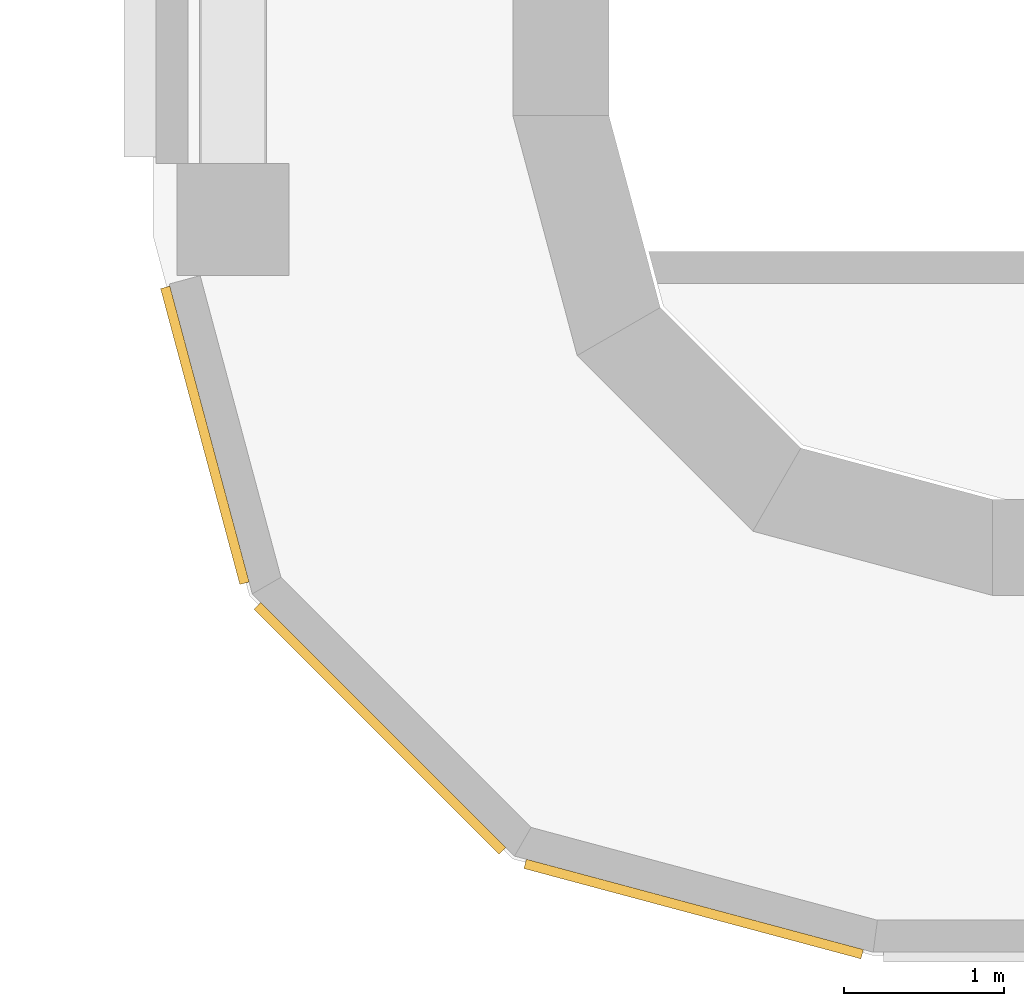
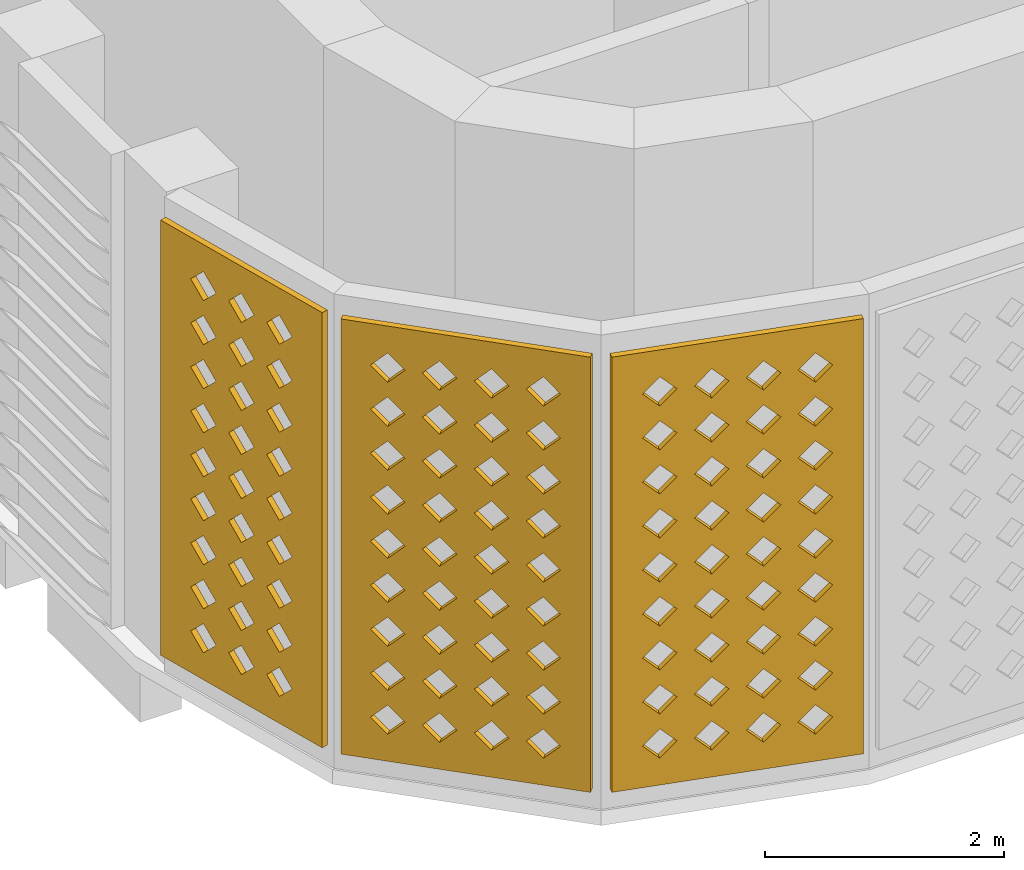
# One storey, part 9 of 20: 3 coverings.
"""IFC4 building model written with IfcOpenShell, lengths in metres."""

from ifc_helpers import new_model, si_unit, direction, frame, origin, place, context, subcontext, project, spatial, polyline, outline, extrude, source, transform, mapped, material, layer, layer_set, type_object, element, save


model = new_model("IFC4")

# Units and contexts
model_context = context("Model", 3, precision=1e-05, world=origin(), true_north=direction((0.0, 1.0)))
body_context = subcontext(model_context, "Body", "Model", "MODEL_VIEW")
ifc_project = project(units=[si_unit("LENGTHUNIT", "METRE"), si_unit("AREAUNIT", "SQUARE_METRE"), si_unit("VOLUMEUNIT", "CUBIC_METRE"), si_unit("PLANEANGLEUNIT", "RADIAN"), si_unit("MASSUNIT", "GRAM", prefix="KILO")], contexts=[model_context])

# Site, building, storey
site_placement = place(None, origin())
site = spatial("IfcSite", under=ifc_project, at=site_placement, CompositionType="ELEMENT")
building_placement = place(site_placement, origin())
building = spatial("IfcBuilding", under=site, at=building_placement, Name="Zarbagh Exchange Tower", CompositionType="ELEMENT")
storey_placement = place(building_placement, frame((0.0, 0.0, 244.800048828125)))
storey = spatial("IfcBuildingStorey", under=building, at=storey_placement, Name="L60", CompositionType="ELEMENT", Elevation=244.800048828125)

# Coverings
ifc_material = material(Name="Glass-fibre reinforced concrete GFRC C50/60", Category="concrete")
ifc_layer = layer(ifc_material, 0.06005859375)
ifc_layer_set = layer_set([ifc_layer], Name="SCREEN jali panel, GFRC")
covering_type = type_object("IfcCoveringType", Name="SCREEN jali panel, GFRC", PredefinedType="CLADDING", material=ifc_layer_set)
shared_shape_1 = source(origin(), body_context, "Body", "SweptSolid", [
    extrude(outline(polyline([(0.0, 0.0), (2.1650390625, 0.0), (2.1650390625, 4.449951171875), (0.0, 4.449951171875), (0.0, 0.0)]), holes=[polyline([(0.257568359375, 0.425048828125), (0.407470703125, 0.27490234375), (0.5576171875, 0.425048828125), (0.407470703125, 0.574951171875), (0.257568359375, 0.425048828125)]), polyline([(0.257568359375, 0.875), (0.407470703125, 0.72509765625), (0.5576171875, 0.875), (0.407470703125, 1.02490234375), (0.257568359375, 0.875)]), polyline([(0.257568359375, 1.324951171875), (0.407470703125, 1.175048828125), (0.5576171875, 1.324951171875), (0.407470703125, 1.47509765625), (0.257568359375, 1.324951171875)]), polyline([(0.257568359375, 1.77490234375), (0.407470703125, 1.625), (0.5576171875, 1.77490234375), (0.407470703125, 1.925048828125), (0.257568359375, 1.77490234375)]), polyline([(0.257568359375, 2.22509765625), (0.407470703125, 2.074951171875), (0.5576171875, 2.22509765625), (0.407470703125, 2.375), (0.257568359375, 2.22509765625)]), polyline([(0.257568359375, 2.675048828125), (0.407470703125, 2.52490234375), (0.5576171875, 2.675048828125), (0.407470703125, 2.824951171875), (0.257568359375, 2.675048828125)]), polyline([(0.257568359375, 3.125), (0.407470703125, 2.97509765625), (0.5576171875, 3.125), (0.407470703125, 3.27490234375), (0.257568359375, 3.125)]), polyline([(0.257568359375, 3.574951171875), (0.407470703125, 3.425048828125), (0.5576171875, 3.574951171875), (0.407470703125, 3.72509765625), (0.257568359375, 3.574951171875)]), polyline([(0.257568359375, 4.02490234375), (0.407470703125, 3.875), (0.5576171875, 4.02490234375), (0.407470703125, 4.175048828125), (0.257568359375, 4.02490234375)]), polyline([(0.70751953125, 0.425048828125), (0.857421875, 0.27490234375), (1.007568359375, 0.425048828125), (0.857421875, 0.574951171875), (0.70751953125, 0.425048828125)]), polyline([(0.70751953125, 0.875), (0.857421875, 0.72509765625), (1.007568359375, 0.875), (0.857421875, 1.02490234375), (0.70751953125, 0.875)]), polyline([(0.70751953125, 1.324951171875), (0.857421875, 1.175048828125), (1.007568359375, 1.324951171875), (0.857421875, 1.47509765625), (0.70751953125, 1.324951171875)]), polyline([(0.70751953125, 1.77490234375), (0.857421875, 1.625), (1.007568359375, 1.77490234375), (0.857421875, 1.925048828125), (0.70751953125, 1.77490234375)]), polyline([(0.70751953125, 2.22509765625), (0.857421875, 2.074951171875), (1.007568359375, 2.22509765625), (0.857421875, 2.375), (0.70751953125, 2.22509765625)]), polyline([(0.70751953125, 2.675048828125), (0.857421875, 2.52490234375), (1.007568359375, 2.675048828125), (0.857421875, 2.824951171875), (0.70751953125, 2.675048828125)]), polyline([(0.70751953125, 3.125), (0.857421875, 2.97509765625), (1.007568359375, 3.125), (0.857421875, 3.27490234375), (0.70751953125, 3.125)]), polyline([(0.70751953125, 3.574951171875), (0.857421875, 3.425048828125), (1.007568359375, 3.574951171875), (0.857421875, 3.72509765625), (0.70751953125, 3.574951171875)]), polyline([(0.70751953125, 4.02490234375), (0.857421875, 3.875), (1.007568359375, 4.02490234375), (0.857421875, 4.175048828125), (0.70751953125, 4.02490234375)]), polyline([(1.157470703125, 0.425048828125), (1.3076171875, 0.27490234375), (1.45751953125, 0.425048828125), (1.3076171875, 0.574951171875), (1.157470703125, 0.425048828125)]), polyline([(1.157470703125, 0.875), (1.3076171875, 0.72509765625), (1.45751953125, 0.875), (1.3076171875, 1.02490234375), (1.157470703125, 0.875)]), polyline([(1.157470703125, 1.324951171875), (1.3076171875, 1.175048828125), (1.45751953125, 1.324951171875), (1.3076171875, 1.47509765625), (1.157470703125, 1.324951171875)]), polyline([(1.157470703125, 1.77490234375), (1.3076171875, 1.625), (1.45751953125, 1.77490234375), (1.3076171875, 1.925048828125), (1.157470703125, 1.77490234375)]), polyline([(1.157470703125, 2.22509765625), (1.3076171875, 2.074951171875), (1.45751953125, 2.22509765625), (1.3076171875, 2.375), (1.157470703125, 2.22509765625)]), polyline([(1.157470703125, 2.675048828125), (1.3076171875, 2.52490234375), (1.45751953125, 2.675048828125), (1.3076171875, 2.824951171875), (1.157470703125, 2.675048828125)]), polyline([(1.157470703125, 3.125), (1.3076171875, 2.97509765625), (1.45751953125, 3.125), (1.3076171875, 3.27490234375), (1.157470703125, 3.125)]), polyline([(1.157470703125, 3.574951171875), (1.3076171875, 3.425048828125), (1.45751953125, 3.574951171875), (1.3076171875, 3.72509765625), (1.157470703125, 3.574951171875)]), polyline([(1.157470703125, 4.02490234375), (1.3076171875, 3.875), (1.45751953125, 4.02490234375), (1.3076171875, 4.175048828125), (1.157470703125, 4.02490234375)]), polyline([(1.607421875, 0.425048828125), (1.757568359375, 0.27490234375), (1.907470703125, 0.425048828125), (1.757568359375, 0.574951171875), (1.607421875, 0.425048828125)]), polyline([(1.607421875, 0.875), (1.757568359375, 0.72509765625), (1.907470703125, 0.875), (1.757568359375, 1.02490234375), (1.607421875, 0.875)]), polyline([(1.607421875, 1.324951171875), (1.757568359375, 1.175048828125), (1.907470703125, 1.324951171875), (1.757568359375, 1.47509765625), (1.607421875, 1.324951171875)]), polyline([(1.607421875, 1.77490234375), (1.757568359375, 1.625), (1.907470703125, 1.77490234375), (1.757568359375, 1.925048828125), (1.607421875, 1.77490234375)]), polyline([(1.607421875, 2.22509765625), (1.757568359375, 2.074951171875), (1.907470703125, 2.22509765625), (1.757568359375, 2.375), (1.607421875, 2.22509765625)]), polyline([(1.607421875, 2.675048828125), (1.757568359375, 2.52490234375), (1.907470703125, 2.675048828125), (1.757568359375, 2.824951171875), (1.607421875, 2.675048828125)]), polyline([(1.607421875, 3.125), (1.757568359375, 2.97509765625), (1.907470703125, 3.125), (1.757568359375, 3.27490234375), (1.607421875, 3.125)]), polyline([(1.607421875, 3.574951171875), (1.757568359375, 3.425048828125), (1.907470703125, 3.574951171875), (1.757568359375, 3.72509765625), (1.607421875, 3.574951171875)]), polyline([(1.607421875, 4.02490234375), (1.757568359375, 3.875), (1.907470703125, 4.02490234375), (1.757568359375, 4.175048828125), (1.607421875, 4.02490234375)])]), origin(), (0.0, 0.0, 1.0), 0.06005859375),
])
placement = place(storey_placement, origin())
element("IfcCovering", 1, at=placement, inside=storey, type_object=covering_type, Name="JS66 jali screen", PredefinedType="CLADDING", context=body_context, shape_type="MappedRepresentation", body=[
    mapped(shared_shape_1, transform((-6.074951171875, -29.2939453125, 0.199951171875), x_axis=(0.707106781187, -0.707106781187, 0.0), y_axis=(0.0, 0.0, 1.0), z_axis=(-0.707106781187, -0.707106781187, 0.0))),
])
shared_shape_2 = source(origin(), body_context, "Body", "SweptSolid", [
    extrude(outline(polyline([(0.0, 0.0), (2.181396484375, 0.0), (2.181396484375, 4.449951171875), (0.0, 4.449951171875), (0.0, 0.0)]), holes=[polyline([(0.265625, 0.425048828125), (0.415771484375, 0.27490234375), (0.565673828125, 0.425048828125), (0.415771484375, 0.574951171875), (0.265625, 0.425048828125)]), polyline([(0.265625, 0.875), (0.415771484375, 0.72509765625), (0.565673828125, 0.875), (0.415771484375, 1.02490234375), (0.265625, 0.875)]), polyline([(0.265625, 1.324951171875), (0.415771484375, 1.175048828125), (0.565673828125, 1.324951171875), (0.415771484375, 1.47509765625), (0.265625, 1.324951171875)]), polyline([(0.265625, 1.77490234375), (0.415771484375, 1.625), (0.565673828125, 1.77490234375), (0.415771484375, 1.925048828125), (0.265625, 1.77490234375)]), polyline([(0.265625, 2.22509765625), (0.415771484375, 2.074951171875), (0.565673828125, 2.22509765625), (0.415771484375, 2.375), (0.265625, 2.22509765625)]), polyline([(0.265625, 2.675048828125), (0.415771484375, 2.52490234375), (0.565673828125, 2.675048828125), (0.415771484375, 2.824951171875), (0.265625, 2.675048828125)]), polyline([(0.265625, 3.125), (0.415771484375, 2.97509765625), (0.565673828125, 3.125), (0.415771484375, 3.27490234375), (0.265625, 3.125)]), polyline([(0.265625, 3.574951171875), (0.415771484375, 3.425048828125), (0.565673828125, 3.574951171875), (0.415771484375, 3.72509765625), (0.265625, 3.574951171875)]), polyline([(0.265625, 4.02490234375), (0.415771484375, 3.875), (0.565673828125, 4.02490234375), (0.415771484375, 4.175048828125), (0.265625, 4.02490234375)]), polyline([(0.7158203125, 0.425048828125), (0.86572265625, 0.27490234375), (1.015625, 0.425048828125), (0.86572265625, 0.574951171875), (0.7158203125, 0.425048828125)]), polyline([(0.7158203125, 0.875), (0.86572265625, 0.72509765625), (1.015625, 0.875), (0.86572265625, 1.02490234375), (0.7158203125, 0.875)]), polyline([(0.7158203125, 1.324951171875), (0.86572265625, 1.175048828125), (1.015625, 1.324951171875), (0.86572265625, 1.47509765625), (0.7158203125, 1.324951171875)]), polyline([(0.7158203125, 1.77490234375), (0.86572265625, 1.625), (1.015625, 1.77490234375), (0.86572265625, 1.925048828125), (0.7158203125, 1.77490234375)]), polyline([(0.7158203125, 2.22509765625), (0.86572265625, 2.074951171875), (1.015625, 2.22509765625), (0.86572265625, 2.375), (0.7158203125, 2.22509765625)]), polyline([(0.7158203125, 2.675048828125), (0.86572265625, 2.52490234375), (1.015625, 2.675048828125), (0.86572265625, 2.824951171875), (0.7158203125, 2.675048828125)]), polyline([(0.7158203125, 3.125), (0.86572265625, 2.97509765625), (1.015625, 3.125), (0.86572265625, 3.27490234375), (0.7158203125, 3.125)]), polyline([(0.7158203125, 3.574951171875), (0.86572265625, 3.425048828125), (1.015625, 3.574951171875), (0.86572265625, 3.72509765625), (0.7158203125, 3.574951171875)]), polyline([(0.7158203125, 4.02490234375), (0.86572265625, 3.875), (1.015625, 4.02490234375), (0.86572265625, 4.175048828125), (0.7158203125, 4.02490234375)]), polyline([(1.165771484375, 0.425048828125), (1.315673828125, 0.27490234375), (1.4658203125, 0.425048828125), (1.315673828125, 0.574951171875), (1.165771484375, 0.425048828125)]), polyline([(1.165771484375, 0.875), (1.315673828125, 0.72509765625), (1.4658203125, 0.875), (1.315673828125, 1.02490234375), (1.165771484375, 0.875)]), polyline([(1.165771484375, 1.324951171875), (1.315673828125, 1.175048828125), (1.4658203125, 1.324951171875), (1.315673828125, 1.47509765625), (1.165771484375, 1.324951171875)]), polyline([(1.165771484375, 1.77490234375), (1.315673828125, 1.625), (1.4658203125, 1.77490234375), (1.315673828125, 1.925048828125), (1.165771484375, 1.77490234375)]), polyline([(1.165771484375, 2.22509765625), (1.315673828125, 2.074951171875), (1.4658203125, 2.22509765625), (1.315673828125, 2.375), (1.165771484375, 2.22509765625)]), polyline([(1.165771484375, 2.675048828125), (1.315673828125, 2.52490234375), (1.4658203125, 2.675048828125), (1.315673828125, 2.824951171875), (1.165771484375, 2.675048828125)]), polyline([(1.165771484375, 3.125), (1.315673828125, 2.97509765625), (1.4658203125, 3.125), (1.315673828125, 3.27490234375), (1.165771484375, 3.125)]), polyline([(1.165771484375, 3.574951171875), (1.315673828125, 3.425048828125), (1.4658203125, 3.574951171875), (1.315673828125, 3.72509765625), (1.165771484375, 3.574951171875)]), polyline([(1.165771484375, 4.02490234375), (1.315673828125, 3.875), (1.4658203125, 4.02490234375), (1.315673828125, 4.175048828125), (1.165771484375, 4.02490234375)]), polyline([(1.61572265625, 0.425048828125), (1.765625, 0.27490234375), (1.915771484375, 0.425048828125), (1.765625, 0.574951171875), (1.61572265625, 0.425048828125)]), polyline([(1.61572265625, 0.875), (1.765625, 0.72509765625), (1.915771484375, 0.875), (1.765625, 1.02490234375), (1.61572265625, 0.875)]), polyline([(1.61572265625, 1.324951171875), (1.765625, 1.175048828125), (1.915771484375, 1.324951171875), (1.765625, 1.47509765625), (1.61572265625, 1.324951171875)]), polyline([(1.61572265625, 1.77490234375), (1.765625, 1.625), (1.915771484375, 1.77490234375), (1.765625, 1.925048828125), (1.61572265625, 1.77490234375)]), polyline([(1.61572265625, 2.22509765625), (1.765625, 2.074951171875), (1.915771484375, 2.22509765625), (1.765625, 2.375), (1.61572265625, 2.22509765625)]), polyline([(1.61572265625, 2.675048828125), (1.765625, 2.52490234375), (1.915771484375, 2.675048828125), (1.765625, 2.824951171875), (1.61572265625, 2.675048828125)]), polyline([(1.61572265625, 3.125), (1.765625, 2.97509765625), (1.915771484375, 3.125), (1.765625, 3.27490234375), (1.61572265625, 3.125)]), polyline([(1.61572265625, 3.574951171875), (1.765625, 3.425048828125), (1.915771484375, 3.574951171875), (1.765625, 3.72509765625), (1.61572265625, 3.574951171875)]), polyline([(1.61572265625, 4.02490234375), (1.765625, 3.875), (1.915771484375, 4.02490234375), (1.765625, 4.175048828125), (1.61572265625, 4.02490234375)])]), origin(), (0.0, 0.0, 1.0), 0.06005859375),
])
element("IfcCovering", 2, at=placement, inside=storey, type_object=covering_type, Name="JS67 jali screen", PredefinedType="CLADDING", context=body_context, shape_type="MappedRepresentation", body=[
    mapped(shared_shape_2, transform((-4.41552734375, -30.89892578125, 0.199951171875), x_axis=(0.965924215207, -0.258825057666, 0.0), y_axis=(0.0, 0.0, 1.0), z_axis=(-0.258825057666, -0.965924215207, 0.0))),
])
shared_shape_3 = source(origin(), body_context, "Body", "SweptSolid", [
    extrude(outline(polyline([(0.0, 0.0), (1.914794921875, 0.0), (1.914794921875, 4.449951171875), (0.0, 4.449951171875), (0.0, 0.0)]), holes=[polyline([(0.357421875, 0.425048828125), (0.50732421875, 0.27490234375), (0.657470703125, 0.425048828125), (0.50732421875, 0.574951171875), (0.357421875, 0.425048828125)]), polyline([(0.357421875, 0.875), (0.50732421875, 0.72509765625), (0.657470703125, 0.875), (0.50732421875, 1.02490234375), (0.357421875, 0.875)]), polyline([(0.357421875, 1.324951171875), (0.50732421875, 1.175048828125), (0.657470703125, 1.324951171875), (0.50732421875, 1.47509765625), (0.357421875, 1.324951171875)]), polyline([(0.357421875, 1.77490234375), (0.50732421875, 1.625), (0.657470703125, 1.77490234375), (0.50732421875, 1.925048828125), (0.357421875, 1.77490234375)]), polyline([(0.357421875, 2.22509765625), (0.50732421875, 2.074951171875), (0.657470703125, 2.22509765625), (0.50732421875, 2.375), (0.357421875, 2.22509765625)]), polyline([(0.357421875, 2.675048828125), (0.50732421875, 2.52490234375), (0.657470703125, 2.675048828125), (0.50732421875, 2.824951171875), (0.357421875, 2.675048828125)]), polyline([(0.357421875, 3.125), (0.50732421875, 2.97509765625), (0.657470703125, 3.125), (0.50732421875, 3.27490234375), (0.357421875, 3.125)]), polyline([(0.357421875, 3.574951171875), (0.50732421875, 3.425048828125), (0.657470703125, 3.574951171875), (0.50732421875, 3.72509765625), (0.357421875, 3.574951171875)]), polyline([(0.357421875, 4.02490234375), (0.50732421875, 3.875), (0.657470703125, 4.02490234375), (0.50732421875, 4.175048828125), (0.357421875, 4.02490234375)]), polyline([(0.807373046875, 0.425048828125), (0.95751953125, 0.27490234375), (1.107421875, 0.425048828125), (0.95751953125, 0.574951171875), (0.807373046875, 0.425048828125)]), polyline([(0.807373046875, 0.875), (0.95751953125, 0.72509765625), (1.107421875, 0.875), (0.95751953125, 1.02490234375), (0.807373046875, 0.875)]), polyline([(0.807373046875, 1.324951171875), (0.95751953125, 1.175048828125), (1.107421875, 1.324951171875), (0.95751953125, 1.47509765625), (0.807373046875, 1.324951171875)]), polyline([(0.807373046875, 1.77490234375), (0.95751953125, 1.625), (1.107421875, 1.77490234375), (0.95751953125, 1.925048828125), (0.807373046875, 1.77490234375)]), polyline([(0.807373046875, 2.22509765625), (0.95751953125, 2.074951171875), (1.107421875, 2.22509765625), (0.95751953125, 2.375), (0.807373046875, 2.22509765625)]), polyline([(0.807373046875, 2.675048828125), (0.95751953125, 2.52490234375), (1.107421875, 2.675048828125), (0.95751953125, 2.824951171875), (0.807373046875, 2.675048828125)]), polyline([(0.807373046875, 3.125), (0.95751953125, 2.97509765625), (1.107421875, 3.125), (0.95751953125, 3.27490234375), (0.807373046875, 3.125)]), polyline([(0.807373046875, 3.574951171875), (0.95751953125, 3.425048828125), (1.107421875, 3.574951171875), (0.95751953125, 3.72509765625), (0.807373046875, 3.574951171875)]), polyline([(0.807373046875, 4.02490234375), (0.95751953125, 3.875), (1.107421875, 4.02490234375), (0.95751953125, 4.175048828125), (0.807373046875, 4.02490234375)]), polyline([(1.25732421875, 0.425048828125), (1.407470703125, 0.27490234375), (1.557373046875, 0.425048828125), (1.407470703125, 0.574951171875), (1.25732421875, 0.425048828125)]), polyline([(1.25732421875, 0.875), (1.407470703125, 0.72509765625), (1.557373046875, 0.875), (1.407470703125, 1.02490234375), (1.25732421875, 0.875)]), polyline([(1.25732421875, 1.324951171875), (1.407470703125, 1.175048828125), (1.557373046875, 1.324951171875), (1.407470703125, 1.47509765625), (1.25732421875, 1.324951171875)]), polyline([(1.25732421875, 1.77490234375), (1.407470703125, 1.625), (1.557373046875, 1.77490234375), (1.407470703125, 1.925048828125), (1.25732421875, 1.77490234375)]), polyline([(1.25732421875, 2.22509765625), (1.407470703125, 2.074951171875), (1.557373046875, 2.22509765625), (1.407470703125, 2.375), (1.25732421875, 2.22509765625)]), polyline([(1.25732421875, 2.675048828125), (1.407470703125, 2.52490234375), (1.557373046875, 2.675048828125), (1.407470703125, 2.824951171875), (1.25732421875, 2.675048828125)]), polyline([(1.25732421875, 3.125), (1.407470703125, 2.97509765625), (1.557373046875, 3.125), (1.407470703125, 3.27490234375), (1.25732421875, 3.125)]), polyline([(1.25732421875, 3.574951171875), (1.407470703125, 3.425048828125), (1.557373046875, 3.574951171875), (1.407470703125, 3.72509765625), (1.25732421875, 3.574951171875)]), polyline([(1.25732421875, 4.02490234375), (1.407470703125, 3.875), (1.557373046875, 4.02490234375), (1.407470703125, 4.175048828125), (1.25732421875, 4.02490234375)])]), origin(), (0.0, 0.0, 1.0), 0.06005859375),
])
element("IfcCovering", 3, at=placement, inside=storey, type_object=covering_type, Name="JS65 jali screen", PredefinedType="CLADDING", context=body_context, shape_type="MappedRepresentation", body=[
    mapped(shared_shape_3, transform((-6.64453125, -27.31591796875, 0.199951171875), x_axis=(0.258825057666, -0.965924215207, 0.0), y_axis=(0.0, 0.0, 1.0), z_axis=(-0.965924215207, -0.258825057666, 0.0))),
])

save(model, "model.ifc")
